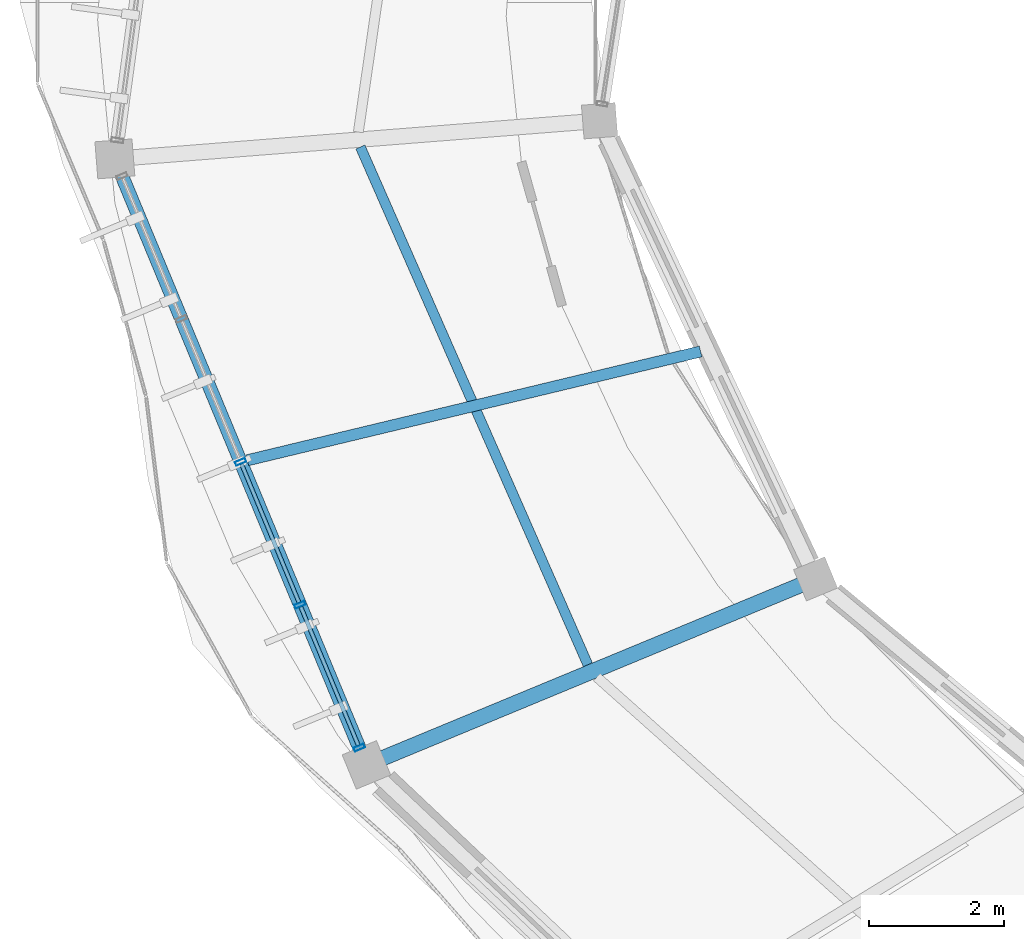
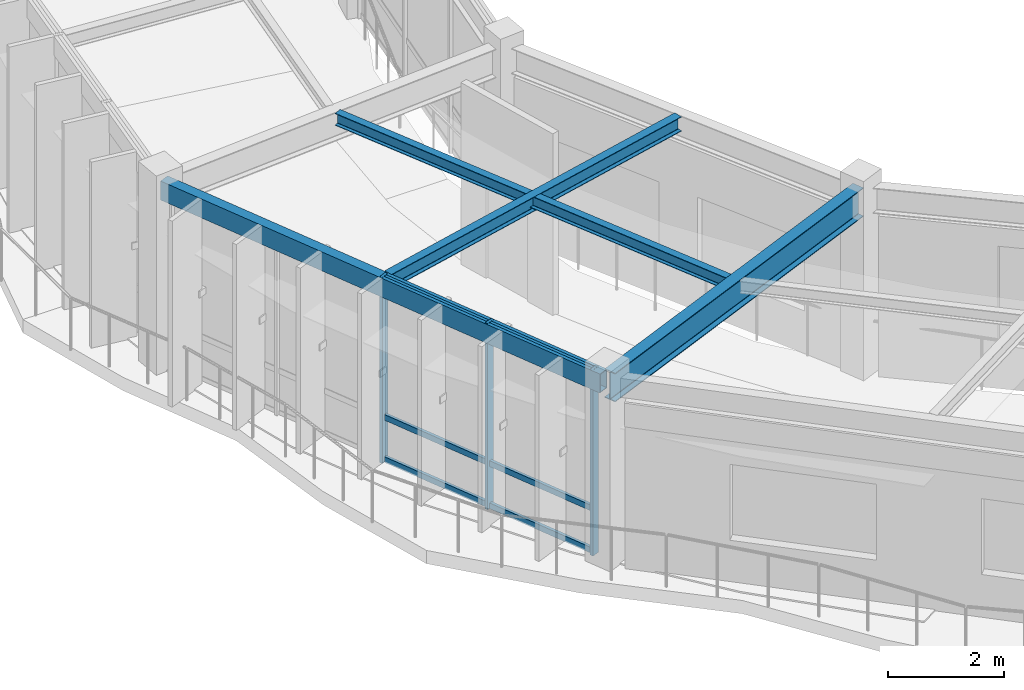
# One storey, part 8 of 79: 9 members, 4 beams, 1 element without a shape of its own.
"""IFC4 building model written with IfcOpenShell, lengths in metres."""

from ifc_helpers import new_model, si_unit, direction, frame, origin, origin_2d, place, context, subcontext, project, spatial, hollow_rectangle, i_section, extrude, material, material_profile, profile_set, type_object, element, aggregate, save


model = new_model("IFC4")

# Units and contexts
model_context = context("Model", 3, precision=1e-05, world=origin(), true_north=direction((0.0, 1.0)))
body_context = subcontext(model_context, "Body", "Model", "MODEL_VIEW")
ifc_project = project(units=[si_unit("LENGTHUNIT", "METRE"), si_unit("AREAUNIT", "SQUARE_METRE"), si_unit("VOLUMEUNIT", "CUBIC_METRE"), si_unit("PLANEANGLEUNIT", "RADIAN"), si_unit("MASSUNIT", "GRAM", prefix="KILO"), si_unit("THERMODYNAMICTEMPERATUREUNIT", "KELVIN"), si_unit("POWERUNIT", "WATT")], contexts=[model_context])

# Site, building, storey
site_placement = place(None, origin())
site = spatial("IfcSite", under=ifc_project, at=site_placement, CompositionType="ELEMENT")
building_placement = place(site_placement, origin())
building = spatial("IfcBuilding", under=site, at=building_placement, Name="Darbajah Civic Hall", CompositionType="ELEMENT")
storey_placement = place(building_placement, frame((0.0, 0.0, 22.199951171875)))
storey = spatial("IfcBuildingStorey", under=building, at=storey_placement, Name="L05", CompositionType="ELEMENT", Elevation=22.199951171875)

# Curtain wall, members
ifc_material_1 = material(Name="Anodised Bronze Aluminium and Low-E Glazing", Category="aluminium")
curtain_wall_type = type_object("IfcCurtainWallType", Name="Unitised Curtain Wall CW-82 9200x3900", PredefinedType="USERDEFINED", material=ifc_material_1)
curtain_wall_placement = place(storey_placement, origin())
curtain_wall = element("IfcCurtainWall", 1, at=curtain_wall_placement, inside=storey, type_object=curtain_wall_type, Name="L05 unitised curtain wall CW-V1O-L05-10", ObjectType="UNITISED CURTAIN WALL", PredefinedType="USERDEFINED")
ifc_material_2 = material(Name="Anodised Bronze Aluminium", Category="aluminium")
ifc_material_profile_1 = material_profile(ifc_material_2, hollow_rectangle(XDim=0.06005859375, YDim=0.159912109375, WallThickness=0.00341796875, at=origin_2d()), Name="ALU MULLION 60x160")
ifc_profile_set_1 = profile_set([ifc_material_profile_1], Name="Anodised Bronze Aluminium")
member_type_1 = type_object("IfcMemberType", Name="ALU MULLION 60x160", PredefinedType="MULLION", material=ifc_profile_set_1)
member_1_placement = place(storey_placement, frame((40.11962890625, 82.998046875, 0.0), z_axis=(0.0, 0.0, 1.0), x_axis=(0.383328328644, -0.923612143954, 0.0)))
member_1 = element("IfcMember", 2, at=member_1_placement, type_object=member_type_1, Name="CW-V1O-L05-10 mullion 3", PredefinedType="MULLION", context=body_context, shape_type="SweptSolid", body=[
    extrude(hollow_rectangle(XDim=0.06005859375, YDim=0.159912109375, WallThickness=0.00341796875, at=origin_2d()), origin(), (0.0, 0.0, 1.0), 3.920166015625),
])
member_2_placement = place(storey_placement, frame((40.997802734375, 80.88232421875, 0.0), z_axis=(0.0, 0.0, 1.0), x_axis=(0.383328328644, -0.923612143954, 0.0)))
member_2 = element("IfcMember", 3, at=member_2_placement, type_object=member_type_1, Name="CW-V1O-L05-10 mullion 4", PredefinedType="MULLION", context=body_context, shape_type="SweptSolid", body=[
    extrude(hollow_rectangle(XDim=0.06005859375, YDim=0.159912109375, WallThickness=0.00341796875, at=origin_2d()), origin(), (0.0, 0.0, 1.0), 3.920166015625),
])
member_3_placement = place(storey_placement, frame((41.8759765625, 78.7666015625, 0.0), z_axis=(0.0, 0.0, 1.0), x_axis=(0.383328328644, -0.923612143954, 0.0)))
member_3 = element("IfcMember", 4, at=member_3_placement, type_object=member_type_1, Name="CW-V1O-L05-10 mullion 5", PredefinedType="MULLION", context=body_context, shape_type="SweptSolid", body=[
    extrude(hollow_rectangle(XDim=0.06005859375, YDim=0.159912109375, WallThickness=0.00341796875, at=origin_2d()), origin(), (0.0, 0.0, 1.0), 3.920166015625),
])
ifc_material_profile_2 = material_profile(ifc_material_2, hollow_rectangle(XDim=0.06005859375, YDim=0.1201171875, WallThickness=0.003173828125, at=origin_2d()), Name="ALU TRANSOM 60x120")
ifc_profile_set_2 = profile_set([ifc_material_profile_2], Name="Anodised Bronze Aluminium")
member_type_2 = type_object("IfcMemberType", Name="ALU TRANSOM 60x120", PredefinedType="USERDEFINED", material=ifc_profile_set_2)
member_4_placement = place(storey_placement, frame((40.133056640625, 82.9658203125, 0.06005859375), z_axis=(0.383358207666, -0.923599742646, 0.0), x_axis=(0.923599742646, 0.383358207666, 0.0)))
member_4 = element("IfcMember", 5, at=member_4_placement, type_object=member_type_2, Name="CW-V1O-L05-10 transom 3.1", ObjectType="TRANSOM", PredefinedType="USERDEFINED", context=body_context, shape_type="SweptSolid", body=[
    extrude(hollow_rectangle(XDim=0.06005859375, YDim=0.1201171875, WallThickness=0.003173828125, at=origin_2d()), origin(), (0.0, 0.0, 1.0), 2.220703125),
])
member_5_placement = place(storey_placement, frame((40.133056640625, 82.9658203125, 0.949951171875), z_axis=(0.383358207666, -0.923599742646, 0.0), x_axis=(0.923599742646, 0.383358207666, 0.0)))
member_5 = element("IfcMember", 6, at=member_5_placement, type_object=member_type_2, Name="CW-V1O-L05-10 transom 3.2", ObjectType="TRANSOM", PredefinedType="USERDEFINED", context=body_context, shape_type="SweptSolid", body=[
    extrude(hollow_rectangle(XDim=0.06005859375, YDim=0.1201171875, WallThickness=0.003173828125, at=origin_2d()), origin(), (0.0, 0.0, 1.0), 2.220703125),
])
member_6_placement = place(storey_placement, frame((40.133056640625, 82.9658203125, 3.860107421875), z_axis=(0.383358207666, -0.923599742646, 0.0), x_axis=(0.923599742646, 0.383358207666, 0.0)))
member_6 = element("IfcMember", 7, at=member_6_placement, type_object=member_type_2, Name="CW-V1O-L05-10 transom 3.3", ObjectType="TRANSOM", PredefinedType="USERDEFINED", context=body_context, shape_type="SweptSolid", body=[
    extrude(hollow_rectangle(XDim=0.06005859375, YDim=0.1201171875, WallThickness=0.003173828125, at=origin_2d()), origin(), (0.0, 0.0, 1.0), 2.220703125),
])
member_7_placement = place(storey_placement, frame((41.01123046875, 80.85009765625, 0.06005859375), z_axis=(0.383319285134, -0.923615897245, 0.0), x_axis=(0.923615897245, 0.383319285134, 0.0)))
member_7 = element("IfcMember", 8, at=member_7_placement, type_object=member_type_2, Name="CW-V1O-L05-10 transom 4.1", ObjectType="TRANSOM", PredefinedType="USERDEFINED", context=body_context, shape_type="SweptSolid", body=[
    extrude(hollow_rectangle(XDim=0.06005859375, YDim=0.1201171875, WallThickness=0.003173828125, at=origin_2d()), origin(), (0.0, 0.0, 1.0), 2.220947265625),
])
member_8_placement = place(storey_placement, frame((41.01123046875, 80.85009765625, 0.949951171875), z_axis=(0.383319285134, -0.923615897245, 0.0), x_axis=(0.923615897245, 0.383319285134, 0.0)))
member_8 = element("IfcMember", 9, at=member_8_placement, type_object=member_type_2, Name="CW-V1O-L05-10 transom 4.2", ObjectType="TRANSOM", PredefinedType="USERDEFINED", context=body_context, shape_type="SweptSolid", body=[
    extrude(hollow_rectangle(XDim=0.06005859375, YDim=0.1201171875, WallThickness=0.003173828125, at=origin_2d()), origin(), (0.0, 0.0, 1.0), 2.220947265625),
])
member_9_placement = place(storey_placement, frame((41.01123046875, 80.85009765625, 3.860107421875), z_axis=(0.383319285134, -0.923615897245, 0.0), x_axis=(0.923615897245, 0.383319285134, 0.0)))
member_9 = element("IfcMember", 10, at=member_9_placement, type_object=member_type_2, Name="CW-V1O-L05-10 transom 4.3", ObjectType="TRANSOM", PredefinedType="USERDEFINED", context=body_context, shape_type="SweptSolid", body=[
    extrude(hollow_rectangle(XDim=0.06005859375, YDim=0.1201171875, WallThickness=0.003173828125, at=origin_2d()), origin(), (0.0, 0.0, 1.0), 2.220947265625),
])
aggregate(curtain_wall, [member_1, member_2, member_3, member_4, member_5, member_6, member_7, member_8, member_9])

# Beams
ifc_material_3 = material(Name="Steel S355JR", Category="steel")
ifc_material_profile_3 = material_profile(ifc_material_3, hollow_rectangle(XDim=0.199951171875, YDim=0.39990234375, WallThickness=0.013916015625, at=origin_2d()), Name="RHS 400x200x14")
ifc_profile_set_3 = profile_set([ifc_material_profile_3], Name="Steel S355JR")
beam_type_1 = type_object("IfcBeamType", Name="RHS 400x200x14", PredefinedType="SPANDREL", material=ifc_profile_set_3)
beam_1_placement = place(storey_placement, frame((38.287841796875, 87.41162109375, 3.719970703125), z_axis=(0.38333984527, -0.923607364104, 0.0), x_axis=(0.923607364104, 0.38333984527, 0.0)))
element("IfcBeam", 11, at=beam_1_placement, inside=storey, type_object=beam_type_1, Name="L05 beam SP-RHS400", PredefinedType="SPANDREL", context=body_context, shape_type="SweptSolid", body=[
    extrude(hollow_rectangle(XDim=0.199951171875, YDim=0.39990234375, WallThickness=0.013916015625, at=origin_2d()), origin(), (0.0, 0.0, 1.0), 9.556884765625),
])
ifc_material_profile_4 = material_profile(ifc_material_3, i_section(OverallWidth=0.146484375, OverallDepth=0.256103515625, WebThickness=0.00634765625, FlangeThickness=0.010986328125, FilletRadius=0.007568359375, at=origin_2d()), Name="UB 254x146x37")
ifc_profile_set_4 = profile_set([ifc_material_profile_4], Name="Steel S355JR")
beam_type_2 = type_object("IfcBeamType", Name="UB 254x146x37", PredefinedType="JOIST", material=ifc_profile_set_4)
beam_2_placement = place(storey_placement, frame((41.892822265625, 87.66162109375, 3.7919921875), z_axis=(0.402255928137, -0.915527262444, 0.0), x_axis=(0.915527262444, 0.402255928137, 0.0)))
element("IfcBeam", 12, at=beam_2_placement, inside=storey, type_object=beam_type_2, Name="L05 beam SJ-254", PredefinedType="JOIST", context=body_context, shape_type="SweptSolid", body=[
    extrude(i_section(OverallWidth=0.146484375, OverallDepth=0.256103515625, WebThickness=0.00634765625, FlangeThickness=0.010986328125, FilletRadius=0.007568359375, at=origin_2d()), origin(), (0.0, 0.0, 1.0), 8.37451171875),
])
ifc_material_profile_5 = material_profile(ifc_material_3, i_section(OverallWidth=0.165771484375, OverallDepth=0.306640625, WebThickness=0.006591796875, FlangeThickness=0.01171875, FilletRadius=0.0087890625, at=origin_2d()), Name="UB 305x165x46")
ifc_profile_set_5 = profile_set([ifc_material_profile_5], Name="Steel S355JR")
beam_type_3 = type_object("IfcBeamType", Name="UB 305x165x46", PredefinedType="JOIST", material=ifc_profile_set_5)
beam_3_placement = place(storey_placement, frame((46.931396484375, 84.633544921875, 3.766845703125), z_axis=(-0.972369643286, -0.233446518106, 0.0), x_axis=(0.233446518106, -0.972369643286, 0.0)))
element("IfcBeam", 13, at=beam_3_placement, inside=storey, type_object=beam_type_3, Name="L05 beam SJ-305", PredefinedType="JOIST", context=body_context, shape_type="SweptSolid", body=[
    extrude(i_section(OverallWidth=0.165771484375, OverallDepth=0.306640625, WebThickness=0.006591796875, FlangeThickness=0.01171875, FilletRadius=0.0087890625, at=origin_2d()), origin(), (0.0, 0.0, 1.0), 6.9033203125),
])
ifc_material_profile_6 = material_profile(ifc_material_3, i_section(OverallWidth=0.228271484375, OverallDepth=0.607666015625, WebThickness=0.010986328125, FlangeThickness=0.017333984375, FilletRadius=0.0126953125, at=origin_2d()), Name="UB 610x229x113")
ifc_profile_set_6 = profile_set([ifc_material_profile_6], Name="Steel S355JR")
beam_type_4 = type_object("IfcBeamType", Name="UB 610x229x113", PredefinedType="BEAM", material=ifc_profile_set_6)
beam_4_placement = place(storey_placement, frame((48.560302734375, 81.235595703125, 3.6162109375), z_axis=(-0.923885389571, -0.382669291867, 0.0), x_axis=(0.382669291867, -0.923885389571, 0.0)))
element("IfcBeam", 14, at=beam_4_placement, inside=storey, type_object=beam_type_4, Name="L05 beam SB-610", PredefinedType="BEAM", context=body_context, shape_type="SweptSolid", body=[
    extrude(i_section(OverallWidth=0.228271484375, OverallDepth=0.607666015625, WebThickness=0.010986328125, FlangeThickness=0.017333984375, FilletRadius=0.0126953125, at=origin_2d()), origin(), (0.0, 0.0, 1.0), 7.040283203125),
])

save(model, "model.ifc")
